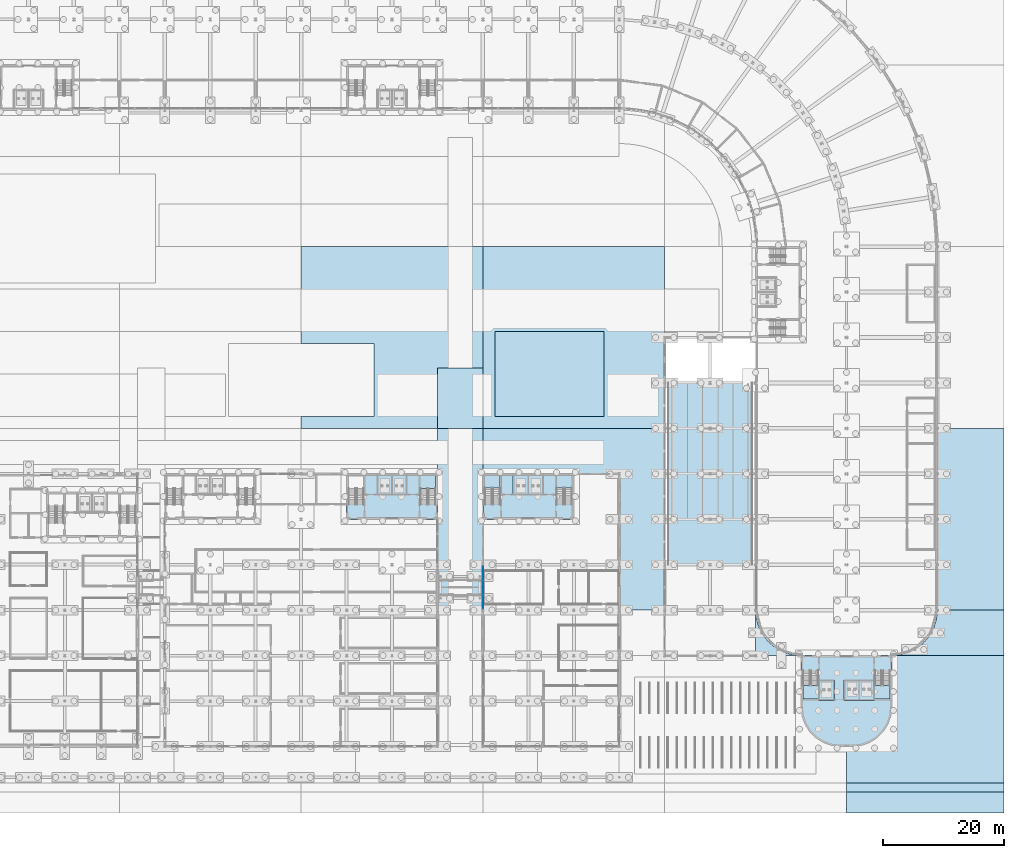
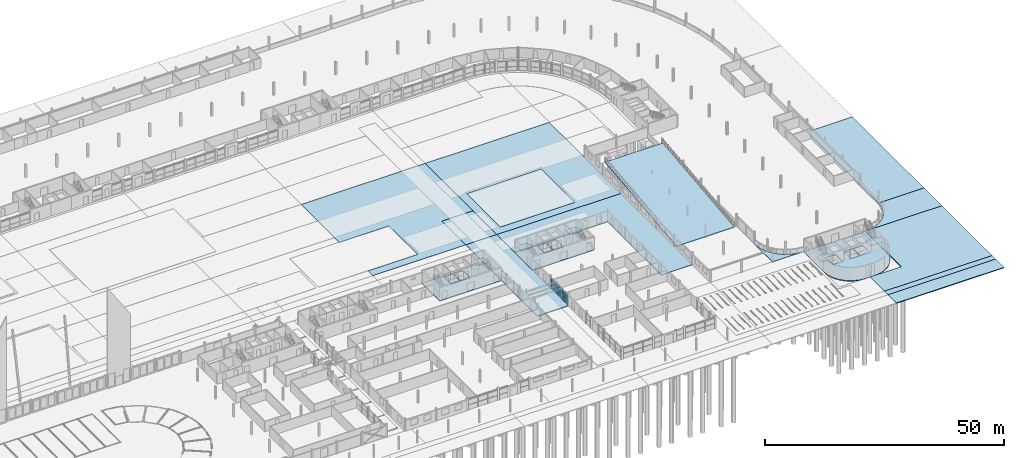
# One storey, part 72 of 130: 25 slabs, 6 plates, 6 elements without a shape of their own.
"""IFC4 building model written with IfcOpenShell, lengths in metres."""

from ifc_helpers import new_model, si_unit, direction, frame, origin, origin_2d, place, context, subcontext, project, spatial, polyline, rectangle, outline, extrude, material, layer, layer_set, type_object, element, aggregate, save


model = new_model("IFC4")

# Units and contexts
model_context = context("Model", 3, precision=1e-05, world=origin(), true_north=direction((0.0, 1.0)))
body_context = subcontext(model_context, "Body", "Model", "MODEL_VIEW")
ifc_project = project(units=[si_unit("LENGTHUNIT", "METRE"), si_unit("AREAUNIT", "SQUARE_METRE"), si_unit("VOLUMEUNIT", "CUBIC_METRE"), si_unit("PLANEANGLEUNIT", "RADIAN"), si_unit("MASSUNIT", "GRAM", prefix="KILO")], contexts=[model_context])

# Site, building, storey
site_placement = place(None, origin())
site = spatial("IfcSite", under=ifc_project, at=site_placement, CompositionType="ELEMENT")
building_placement = place(site_placement, origin())
building = spatial("IfcBuilding", under=site, at=building_placement, Name="Parallax Yard Mobility Hub", CompositionType="ELEMENT")
storey_placement = place(building_placement, origin())
storey = spatial("IfcBuildingStorey", under=building, at=storey_placement, Name="L00", CompositionType="ELEMENT", Elevation=0.0)

# Slabs
ifc_material_1 = material(Name="Concrete fc' 28 MPa", Category="concrete")
ifc_layer_1 = layer(ifc_material_1, 0.199951171875)
ifc_layer_set_1 = layer_set([ifc_layer_1], Name="Concrete fc' 28 MPa vehicle ramp slab 200")
slab_type_1 = type_object("IfcSlabType", Name="Concrete fc' 28 MPa vehicle ramp slab 200", PredefinedType="FLOOR", material=ifc_layer_set_1)
slab_1_placement = place(storey_placement, frame((187.5, 37.5, 0.0), z_axis=(0.0, 0.0, 1.0), x_axis=(0.0, 1.0, 0.0)))
element("IfcSlab", 1, at=slab_1_placement, inside=storey, type_object=slab_type_1, Name="Vehicle ramp slab RP1 L00 to L01", PredefinedType="FLOOR", context=body_context, shape_type="SweptSolid", body=[
    extrude(outline(polyline([(0.0, -0.199951171875), (30.0, 3.10009765625), (30.0, 3.300048828125), (0.0, 0.0), (0.0, -0.199951171875)])), frame((0.0, 7.0, 0.0), z_axis=(0.0, -1.0, 0.0), x_axis=(1.0, 0.0, 0.0)), (0.0, 0.0, 1.0), 14.0),
])
ifc_layer_2 = layer(ifc_material_1, 0.199951171875)
ifc_layer_set_2 = layer_set([ifc_layer_2], Name="Core ground slab 200")
slab_type_2 = type_object("IfcSlabType", Name="Core ground slab 200", PredefinedType="BASESLAB", material=ifc_layer_set_2)
slab_2_placement = place(storey_placement, frame((0.0, 0.0, -0.199951171875)))
element("IfcSlab", 2, at=slab_2_placement, inside=storey, type_object=slab_type_2, Name="Core C-S ground slab", PredefinedType="BASESLAB", context=body_context, shape_type="SweptSolid", body=[
    extrude(outline(polyline([(217.3369140625, 12.5537109375), (216.856201171875, 11.1796875), (216.081787109375, 9.947265625), (215.052734375, 8.918212890625), (213.8203125, 8.143798828125), (212.4462890625, 7.6630859375), (211.0, 7.5), (209.0, 7.5), (207.5537109375, 7.6630859375), (206.1796875, 8.143798828125), (204.947265625, 8.918212890625), (203.918212890625, 9.947265625), (203.143798828125, 11.1796875), (202.6630859375, 12.5537109375), (202.5, 14.0), (202.5, 22.5), (217.5, 22.5), (217.5, 14.0), (217.3369140625, 12.5537109375)]), holes=[polyline([(214.39990234375, 18.300048828125), (212.199951171875, 18.300048828125), (212.199951171875, 15.300048828125), (214.39990234375, 15.300048828125), (214.39990234375, 18.300048828125)]), polyline([(212.0, 15.300048828125), (212.0, 18.300048828125), (209.800048828125, 18.300048828125), (209.800048828125, 15.300048828125), (212.0, 15.300048828125)]), polyline([(205.60009765625, 15.300048828125), (207.800048828125, 15.300048828125), (207.800048828125, 18.300048828125), (205.60009765625, 18.300048828125), (205.60009765625, 15.300048828125)])]), origin(), (0.0, 0.0, 1.0), 0.199951171875),
])
slab_3_placement = place(storey_placement, frame((0.0, 0.0, -0.199951171875)))
element("IfcSlab", 3, at=slab_3_placement, inside=storey, type_object=slab_type_2, Name="Core C6-E ground slab", PredefinedType="BASESLAB", context=body_context, shape_type="SweptSolid", body=[
    extrude(outline(polyline([(127.5, 52.5), (142.5, 52.5), (142.5, 45.0), (127.5, 45.0), (127.5, 52.5)]), holes=[polyline([(132.699951171875, 52.199951171875), (132.699951171875, 49.199951171875), (134.89990234375, 49.199951171875), (134.89990234375, 52.199951171875), (132.699951171875, 52.199951171875)]), polyline([(137.300048828125, 52.199951171875), (135.10009765625, 52.199951171875), (135.10009765625, 49.199951171875), (137.300048828125, 49.199951171875), (137.300048828125, 52.199951171875)])]), origin(), (0.0, 0.0, 1.0), 0.199951171875),
])
slab_4_placement = place(storey_placement, frame((0.0, 0.0, -0.199951171875)))
element("IfcSlab", 4, at=slab_4_placement, inside=storey, type_object=slab_type_2, Name="Core C5 ground slab", PredefinedType="BASESLAB", context=body_context, shape_type="SweptSolid", body=[
    extrude(outline(polyline([(150.0, 52.5), (165.0, 52.5), (165.0, 45.0), (150.0, 45.0), (150.0, 52.5)]), holes=[polyline([(155.199951171875, 52.199951171875), (155.199951171875, 49.199951171875), (157.39990234375, 49.199951171875), (157.39990234375, 52.199951171875), (155.199951171875, 52.199951171875)]), polyline([(159.800048828125, 52.199951171875), (157.60009765625, 52.199951171875), (157.60009765625, 49.199951171875), (159.800048828125, 49.199951171875), (159.800048828125, 52.199951171875)])]), origin(), (0.0, 0.0, 1.0), 0.199951171875),
])

# Stair, slab
ifc_material_2 = material(Name="Concrete fc' 35 MPa", Category="concrete")
stair_type_1 = type_object("IfcStairType", Name="Exit stair 1200 dog-leg", PredefinedType="HALF_TURN_STAIR", material=ifc_material_2)
stair_1_placement = place(storey_placement, origin())
stair_1 = element("IfcStair", 5, at=stair_1_placement, inside=storey, type_object=stair_type_1, Name="L00 Exit stair 1 of core C-S", PredefinedType="HALF_TURN_STAIR")
ifc_layer_3 = layer(ifc_material_2, 0.199951171875)
ifc_layer_set_3 = layer_set([ifc_layer_3], Name="Exit stair landing 200")
slab_type_3 = type_object("IfcSlabType", Name="Exit stair landing 200", PredefinedType="LANDING", material=ifc_layer_set_3)
slab_5_placement = place(storey_placement, frame((0.0, 0.0, 1.449951171875)))
slab_5 = element("IfcSlab", 6, at=slab_5_placement, type_object=slab_type_3, Name="ST9 landing 1", PredefinedType="LANDING", context=body_context, shape_type="SweptSolid", body=[
    extrude(outline(polyline([(214.64990234375, 17.534912109375), (214.64990234375, 15.300048828125), (217.199951171875, 15.300048828125), (217.199951171875, 17.534912109375), (214.64990234375, 17.534912109375)])), origin(), (0.0, 0.0, 1.0), 0.199951171875),
])
aggregate(stair_1, [slab_5])

stair_2_placement = place(storey_placement, origin())
stair_2 = element("IfcStair", 7, at=stair_2_placement, inside=storey, type_object=stair_type_1, Name="L00 Exit stair 2 of core C-S", PredefinedType="HALF_TURN_STAIR")
slab_6_placement = place(storey_placement, frame((0.0, 0.0, 1.449951171875)))
slab_6 = element("IfcSlab", 8, at=slab_6_placement, type_object=slab_type_3, Name="ST10 landing 1", PredefinedType="LANDING", context=body_context, shape_type="SweptSolid", body=[
    extrude(outline(polyline([(202.800048828125, 17.534912109375), (202.800048828125, 15.300048828125), (205.35009765625, 15.300048828125), (205.35009765625, 17.534912109375), (202.800048828125, 17.534912109375)])), origin(), (0.0, 0.0, 1.0), 0.199951171875),
])
aggregate(stair_2, [slab_6])

stair_type_2 = type_object("IfcStairType", Name="Sports deck stair 1200 dog-leg", PredefinedType="HALF_TURN_STAIR", material=ifc_material_2)
stair_3_placement = place(storey_placement, origin())
stair_3 = element("IfcStair", 9, at=stair_3_placement, inside=storey, type_object=stair_type_2, Name="L00 Exit stair 2 of core C6-E", PredefinedType="HALF_TURN_STAIR")
slab_7_placement = place(storey_placement, frame((0.0, 0.0, 1.449951171875)))
slab_7 = element("IfcSlab", 10, at=slab_7_placement, type_object=slab_type_3, Name="ST14 landing 1", PredefinedType="LANDING", context=body_context, shape_type="SweptSolid", body=[
    extrude(outline(polyline([(142.199951171875, 50.10009765625), (142.199951171875, 52.199951171875), (139.64990234375, 52.199951171875), (139.64990234375, 50.10009765625), (142.199951171875, 50.10009765625)])), origin(), (0.0, 0.0, 1.0), 0.199951171875),
])
aggregate(stair_3, [slab_7])

stair_type_3 = type_object("IfcStairType", Name="Public hall stair 1200 dog-leg", PredefinedType="HALF_TURN_STAIR", material=ifc_material_2)
stair_4_placement = place(storey_placement, origin())
stair_4 = element("IfcStair", 11, at=stair_4_placement, inside=storey, type_object=stair_type_3, Name="L00 Exit stair 1 of core C5", PredefinedType="HALF_TURN_STAIR")
slab_8_placement = place(storey_placement, frame((0.0, 0.0, 1.449951171875)))
slab_8 = element("IfcSlab", 12, at=slab_8_placement, type_object=slab_type_3, Name="ST15 landing 1", PredefinedType="LANDING", context=body_context, shape_type="SweptSolid", body=[
    extrude(outline(polyline([(152.85009765625, 50.18994140625), (152.85009765625, 52.199951171875), (150.300048828125, 52.199951171875), (150.300048828125, 50.18994140625), (152.85009765625, 50.18994140625)])), origin(), (0.0, 0.0, 1.0), 0.199951171875),
])
aggregate(stair_4, [slab_8])

stair_5_placement = place(storey_placement, origin())
stair_5 = element("IfcStair", 13, at=stair_5_placement, inside=storey, type_object=stair_type_3, Name="L00 Exit stair 2 of core C5", PredefinedType="HALF_TURN_STAIR")
slab_9_placement = place(storey_placement, frame((0.0, 0.0, 1.449951171875)))
slab_9 = element("IfcSlab", 14, at=slab_9_placement, type_object=slab_type_3, Name="ST16 landing 1", PredefinedType="LANDING", context=body_context, shape_type="SweptSolid", body=[
    extrude(outline(polyline([(164.699951171875, 50.18994140625), (164.699951171875, 52.199951171875), (162.14990234375, 52.199951171875), (162.14990234375, 50.18994140625), (164.699951171875, 50.18994140625)])), origin(), (0.0, 0.0, 1.0), 0.199951171875),
])
aggregate(stair_5, [slab_9])

# Slab
ifc_layer_4 = layer(ifc_material_1, 0.179931640625)
ifc_layer_set_4 = layer_set([ifc_layer_4], Name="Forecourt apron paving 180")
slab_type_4 = type_object("IfcSlabType", Name="Forecourt apron paving 180", PredefinedType="FLOOR", material=ifc_layer_set_4)
slab_10_placement = place(storey_placement, frame((0.0, 0.0, -0.179931640625)))
element("IfcSlab", 15, at=slab_10_placement, inside=storey, type_object=slab_type_4, Name="Forecourt apron paving panel 3", PredefinedType="FLOOR", context=body_context, shape_type="SweptSolid", body=[
    extrude(outline(polyline([(217.5, 7.5), (217.5, 22.4990234375), (217.5, 22.4990234375), (217.51025390625, 22.5), (236.0, 22.5), (236.0, 1.5), (210.0, 1.5), (210.0, 7.5), (217.5, 7.5)])), origin(), (0.0, 0.0, 1.0), 0.179931640625),
])

# Curtain wall, plates
ifc_material_3 = material(Name="Thermally broken aluminium curtain wall system", Category="aluminium")
curtain_wall_type = type_object("IfcCurtainWallType", Name="Curtain wall run 60 x 160 frame", PredefinedType="NOTDEFINED", material=ifc_material_3)
curtain_wall_placement = place(storey_placement, origin())
curtain_wall = element("IfcCurtainWall", 16, at=curtain_wall_placement, inside=storey, type_object=curtain_wall_type, Name="Curtain wall run Bicycle and shared-mobility hall west bay 4 level L00", PredefinedType="NOTDEFINED")
ifc_material_4 = material(Name="Laminated low-E double glazing", Category="glass")
ifc_layer_5 = layer(ifc_material_4, 0.028076171875)
ifc_layer_set_5 = layer_set([ifc_layer_5], Name="Glazing panel 28")
plate_type = type_object("IfcPlateType", Name="Glazing panel 28", PredefinedType="CURTAIN_PANEL", material=ifc_layer_set_5)
plate_1_placement = place(storey_placement, frame((150.0, 31.366455078125, 0.06005859375), z_axis=(0.0, 0.0, 1.0), x_axis=(0.0, 1.0, 0.0)))
plate_1 = element("IfcPlate", 17, at=plate_1_placement, type_object=plate_type, Name="CW1 panel 1.1", PredefinedType="CURTAIN_PANEL", context=body_context, shape_type="SweptSolid", body=[
    extrude(rectangle(XDim=2.305908203125, YDim=0.028076171875, at=origin_2d()), origin(), (0.0, 0.0, 1.0), 1.285400390625),
])
plate_2_placement = place(storey_placement, frame((150.0, 31.366455078125, 1.40576171875), z_axis=(0.0, 0.0, 1.0), x_axis=(0.0, 1.0, 0.0)))
plate_2 = element("IfcPlate", 18, at=plate_2_placement, type_object=plate_type, Name="CW1 panel 1.2", PredefinedType="CURTAIN_PANEL", context=body_context, shape_type="SweptSolid", body=[
    extrude(rectangle(XDim=2.305908203125, YDim=0.028076171875, at=origin_2d()), origin(), (0.0, 0.0, 1.0), 1.285400390625),
])
plate_3_placement = place(storey_placement, frame((150.0, 33.747314453125, 0.06005859375), z_axis=(0.0, 0.0, 1.0), x_axis=(0.0, 1.0, 0.0)))
plate_3 = element("IfcPlate", 19, at=plate_3_placement, type_object=plate_type, Name="CW1 panel 2.1", PredefinedType="CURTAIN_PANEL", context=body_context, shape_type="SweptSolid", body=[
    extrude(rectangle(XDim=2.3359375, YDim=0.028076171875, at=origin_2d()), origin(), (0.0, 0.0, 1.0), 1.285400390625),
])
plate_4_placement = place(storey_placement, frame((150.0, 33.747314453125, 1.40576171875), z_axis=(0.0, 0.0, 1.0), x_axis=(0.0, 1.0, 0.0)))
plate_4 = element("IfcPlate", 20, at=plate_4_placement, type_object=plate_type, Name="CW1 panel 2.2", PredefinedType="CURTAIN_PANEL", context=body_context, shape_type="SweptSolid", body=[
    extrude(rectangle(XDim=2.3359375, YDim=0.028076171875, at=origin_2d()), origin(), (0.0, 0.0, 1.0), 1.285400390625),
])
plate_5_placement = place(storey_placement, frame((150.0, 36.128173828125, 0.06005859375), z_axis=(0.0, 0.0, 1.0), x_axis=(0.0, 1.0, 0.0)))
plate_5 = element("IfcPlate", 21, at=plate_5_placement, type_object=plate_type, Name="CW1 panel 3.1", PredefinedType="CURTAIN_PANEL", context=body_context, shape_type="SweptSolid", body=[
    extrude(rectangle(XDim=2.305908203125, YDim=0.028076171875, at=origin_2d()), origin(), (0.0, 0.0, 1.0), 1.285400390625),
])
plate_6_placement = place(storey_placement, frame((150.0, 36.128173828125, 1.40576171875), z_axis=(0.0, 0.0, 1.0), x_axis=(0.0, 1.0, 0.0)))
plate_6 = element("IfcPlate", 22, at=plate_6_placement, type_object=plate_type, Name="CW1 panel 3.2", PredefinedType="CURTAIN_PANEL", context=body_context, shape_type="SweptSolid", body=[
    extrude(rectangle(XDim=2.305908203125, YDim=0.028076171875, at=origin_2d()), origin(), (0.0, 0.0, 1.0), 1.285400390625),
])
aggregate(curtain_wall, [plate_1, plate_2, plate_3, plate_4, plate_5, plate_6])

# Slabs
ifc_layer_6 = layer(ifc_material_1, 0.300048828125)
ifc_layer_set_6 = layer_set([ifc_layer_6], Name="Lift pit slab 300")
slab_type_5 = type_object("IfcSlabType", Name="Lift pit slab 300", PredefinedType="BASESLAB", material=ifc_layer_set_6)
slab_11_placement = place(storey_placement, frame((0.0, 0.0, -1.800048828125)))
element("IfcSlab", 23, at=slab_11_placement, inside=storey, type_object=slab_type_5, Name="Core C-S lift pit slab (shaft group 1)", PredefinedType="BASESLAB", context=body_context, shape_type="SweptSolid", body=[
    extrude(outline(polyline([(214.60009765625, 18.5), (209.60009765625, 18.5), (209.60009765625, 15.10009765625), (214.60009765625, 15.10009765625), (214.60009765625, 18.5)])), origin(), (0.0, 0.0, 1.0), 0.300048828125),
])
slab_12_placement = place(storey_placement, frame((0.0, 0.0, -1.800048828125)))
element("IfcSlab", 24, at=slab_12_placement, inside=storey, type_object=slab_type_5, Name="Core C-S lift pit slab (shaft group 2)", PredefinedType="BASESLAB", context=body_context, shape_type="SweptSolid", body=[
    extrude(outline(polyline([(208.0, 18.5), (205.39990234375, 18.5), (205.39990234375, 15.10009765625), (208.0, 15.10009765625), (208.0, 18.5)])), origin(), (0.0, 0.0, 1.0), 0.300048828125),
])
slab_13_placement = place(storey_placement, frame((0.0, 0.0, -1.800048828125)))
element("IfcSlab", 25, at=slab_13_placement, inside=storey, type_object=slab_type_5, Name="Core C6-E lift pit slab (shaft group 1)", PredefinedType="BASESLAB", context=body_context, shape_type="SweptSolid", body=[
    extrude(outline(polyline([(132.5, 49.0), (137.5, 49.0), (137.5, 52.5), (132.5, 52.5), (132.5, 49.0)])), origin(), (0.0, 0.0, 1.0), 0.300048828125),
])
slab_14_placement = place(storey_placement, frame((0.0, 0.0, -1.800048828125)))
element("IfcSlab", 26, at=slab_14_placement, inside=storey, type_object=slab_type_5, Name="Core C5 lift pit slab (shaft group 1)", PredefinedType="BASESLAB", context=body_context, shape_type="SweptSolid", body=[
    extrude(outline(polyline([(155.0, 49.0), (160.0, 49.0), (160.0, 52.5), (155.0, 52.5), (155.0, 49.0)])), origin(), (0.0, 0.0, 1.0), 0.300048828125),
])
ifc_material_5 = material(Name="Planting soil on drainage layer")
ifc_layer_7 = layer(ifc_material_5, 0.449951171875)
ifc_layer_set_7 = layer_set([ifc_layer_7], Name="Planting bed 450 soil on drainage layer")
slab_type_6 = type_object("IfcSlabType", Name="Planting bed 450 soil on drainage layer", PredefinedType="FLOOR", material=ifc_layer_set_7)
slab_15_placement = place(storey_placement, frame((0.0, 0.0, -0.449951171875)))
element("IfcSlab", 27, at=slab_15_placement, inside=storey, type_object=slab_type_6, Name="Planting bed 04", PredefinedType="FLOOR", context=body_context, shape_type="SweptSolid", body=[
    extrude(outline(polyline([(152.0, 62.0), (170.0, 62.0), (170.0, 76.0), (152.0, 76.0), (152.0, 62.0)])), origin(), (0.0, 0.0, 1.0), 0.449951171875),
])
ifc_layer_8 = layer(ifc_material_1, 0.14990234375)
ifc_layer_set_8 = layer_set([ifc_layer_8], Name="Public yard paving 150")
slab_type_7 = type_object("IfcSlabType", Name="Public yard paving 150", PredefinedType="FLOOR", material=ifc_layer_set_8)
slab_16_placement = place(storey_placement, frame((0.0, 0.0, -0.14990234375)))
element("IfcSlab", 28, at=slab_16_placement, inside=storey, type_object=slab_type_7, Name="Public yard paving panel 19", PredefinedType="FLOOR", context=body_context, shape_type="SweptSolid", body=[
    extrude(outline(polyline([(142.5, 70.0), (142.5, 60.0), (120.0, 60.0), (120.0, 62.0), (132.0, 62.0), (132.0, 74.0), (120.0, 74.0), (120.0, 90.0), (150.0, 90.0), (150.0, 70.0), (142.5, 70.0)])), origin(), (0.0, 0.0, 1.0), 0.14990234375),
])
slab_17_placement = place(storey_placement, frame((0.0, 0.0, -0.14990234375)))
element("IfcSlab", 29, at=slab_17_placement, inside=storey, type_object=slab_type_7, Name="Public yard paving panel 23", PredefinedType="FLOOR", context=body_context, shape_type="SweptSolid", body=[
    extrude(outline(polyline([(180.0, 37.5009765625), (180.0, 37.5009765625), (179.999755859375, 37.5009765625), (179.999755859375, 37.5009765625), (179.99951171875, 37.5009765625), (179.99951171875, 37.5009765625), (179.99951171875, 37.500732421875), (179.99951171875, 37.500732421875), (179.999267578125, 37.500732421875), (179.999267578125, 37.50048828125), (179.999267578125, 37.50048828125), (179.9990234375, 37.50048828125), (179.9990234375, 37.50048828125), (179.9990234375, 37.500244140625), (179.9990234375, 37.500244140625), (179.9990234375, 37.5), (179.9990234375, 37.5), (179.9990234375, 30.0), (172.5009765625, 30.0), (172.5009765625, 30.925048828125), (172.5009765625, 30.925048828125), (172.5009765625, 30.92529296875), (172.5009765625, 30.92529296875), (172.5009765625, 30.92529296875), (172.5009765625, 30.925537109375), (172.500732421875, 30.925537109375), (172.500732421875, 30.925537109375), (172.500732421875, 30.92578125), (172.50048828125, 30.92578125), (172.50048828125, 30.92578125), (172.50048828125, 30.92578125), (172.50048828125, 30.92578125), (172.500244140625, 30.926025390625), (172.500244140625, 30.926025390625), (172.5, 30.926025390625), (172.5, 30.926025390625), (172.5, 31.073974609375), (172.5, 31.073974609375), (172.500244140625, 31.073974609375), (172.500244140625, 31.073974609375), (172.50048828125, 31.07421875), (172.50048828125, 31.07421875), (172.50048828125, 31.07421875), (172.50048828125, 31.07421875), (172.500732421875, 31.07421875), (172.500732421875, 31.074462890625), (172.500732421875, 31.074462890625), (172.5009765625, 31.074462890625), (172.5009765625, 31.07470703125), (172.5009765625, 31.07470703125), (172.5009765625, 31.07470703125), (172.5009765625, 31.074951171875), (172.5009765625, 31.074951171875), (172.5009765625, 36.425048828125), (172.5009765625, 36.425048828125), (172.5009765625, 36.42529296875), (172.5009765625, 36.42529296875), (172.5009765625, 36.42529296875), (172.5009765625, 36.425537109375), (172.500732421875, 36.425537109375), (172.500732421875, 36.425537109375), (172.500732421875, 36.42578125), (172.50048828125, 36.42578125), (172.50048828125, 36.42578125), (172.50048828125, 36.42578125), (172.50048828125, 36.42578125), (172.500244140625, 36.426025390625), (172.500244140625, 36.426025390625), (172.5, 36.426025390625), (172.5, 36.426025390625), (172.5, 36.573974609375), (172.5, 36.573974609375), (172.500244140625, 36.573974609375), (172.500244140625, 36.573974609375), (172.50048828125, 36.57421875), (172.50048828125, 36.57421875), (172.50048828125, 36.57421875), (172.50048828125, 36.57421875), (172.500732421875, 36.57421875), (172.500732421875, 36.574462890625), (172.500732421875, 36.574462890625), (172.5009765625, 36.574462890625), (172.5009765625, 36.57470703125), (172.5009765625, 36.57470703125), (172.5009765625, 36.57470703125), (172.5009765625, 36.574951171875), (172.5009765625, 36.574951171875), (172.5009765625, 52.5), (172.5009765625, 52.5), (172.5009765625, 52.500244140625), (172.5009765625, 52.500244140625), (172.5009765625, 52.50048828125), (172.5009765625, 52.50048828125), (172.500732421875, 52.50048828125), (172.500732421875, 52.50048828125), (172.500732421875, 52.500732421875), (172.50048828125, 52.500732421875), (172.50048828125, 52.500732421875), (172.50048828125, 52.5009765625), (172.50048828125, 52.5009765625), (172.500244140625, 52.5009765625), (172.500244140625, 52.5009765625), (172.5, 52.5009765625), (172.5, 52.5009765625), (165.0, 52.5009765625), (165.0, 52.5009765625), (164.999755859375, 52.5009765625), (164.999755859375, 52.5009765625), (164.99951171875, 52.5009765625), (164.99951171875, 52.5009765625), (164.99951171875, 52.500732421875), (164.99951171875, 52.500732421875), (164.999267578125, 52.500732421875), (164.999267578125, 52.50048828125), (164.999267578125, 52.50048828125), (164.9990234375, 52.50048828125), (164.9990234375, 52.50048828125), (164.9990234375, 52.500244140625), (164.9990234375, 52.500244140625), (164.9990234375, 52.5), (164.9990234375, 52.5), (150.0, 52.5), (150.0, 60.0), (180.0, 60.0), (180.0, 37.5009765625)])), origin(), (0.0, 0.0, 1.0), 0.14990234375),
])
slab_18_placement = place(storey_placement, frame((0.0, 0.0, -0.14990234375)))
element("IfcSlab", 30, at=slab_18_placement, inside=storey, type_object=slab_type_7, Name="Public yard paving panel 24", PredefinedType="FLOOR", context=body_context, shape_type="SweptSolid", body=[
    extrude(outline(polyline([(180.0, 60.0), (150.0, 60.0), (150.0, 70.0), (150.0, 90.0), (180.0, 90.0), (180.0, 75.0), (180.0, 60.0)]), holes=[polyline([(170.0, 76.0), (152.0, 76.0), (152.0, 62.0), (170.0, 62.0), (170.0, 76.0)])]), origin(), (0.0, 0.0, 1.0), 0.14990234375),
])
slab_19_placement = place(storey_placement, frame((0.0, 0.0, -0.14990234375)))
element("IfcSlab", 31, at=slab_19_placement, inside=storey, type_object=slab_type_7, Name="Public yard paving panel 27", PredefinedType="FLOOR", context=body_context, shape_type="SweptSolid", body=[
    extrude(outline(polyline([(195.14306640625, 28.53662109375), (195.14306640625, 28.53662109375), (195.14306640625, 28.53662109375), (195.56982421875, 27.129638671875), (195.570068359375, 27.12939453125), (195.570068359375, 27.12939453125), (196.26318359375, 25.832763671875), (196.26318359375, 25.83251953125), (196.26318359375, 25.83251953125), (197.19580078125, 24.696044921875), (197.196044921875, 24.696044921875), (197.196044921875, 24.69580078125), (198.33251953125, 23.76318359375), (198.33251953125, 23.76318359375), (198.332763671875, 23.76318359375), (199.62939453125, 23.070068359375), (199.62939453125, 23.070068359375), (199.629638671875, 23.06982421875), (201.03662109375, 22.64306640625), (201.03662109375, 22.64306640625), (201.03662109375, 22.64306640625), (202.48974609375, 22.5), (195.0, 22.5), (195.0, 29.98974609375), (195.14306640625, 28.53662109375)])), origin(), (0.0, 0.0, 1.0), 0.14990234375),
])
slab_20_placement = place(storey_placement, frame((0.0, 0.0, -0.14990234375)))
element("IfcSlab", 32, at=slab_20_placement, inside=storey, type_object=slab_type_7, Name="Public yard paving panel 31", PredefinedType="FLOOR", context=body_context, shape_type="SweptSolid", body=[
    extrude(outline(polyline([(236.0, 22.5), (217.51025390625, 22.5), (218.96337890625, 22.64306640625), (218.96337890625, 22.64306640625), (218.96337890625, 22.64306640625), (220.370361328125, 23.06982421875), (220.37060546875, 23.070068359375), (220.37060546875, 23.070068359375), (221.667236328125, 23.76318359375), (221.66748046875, 23.76318359375), (221.66748046875, 23.76318359375), (222.803955078125, 24.69580078125), (222.803955078125, 24.696044921875), (222.80419921875, 24.696044921875), (223.73681640625, 25.83251953125), (223.73681640625, 25.83251953125), (223.73681640625, 25.832763671875), (224.429931640625, 27.12939453125), (224.429931640625, 27.12939453125), (224.43017578125, 27.129638671875), (224.85693359375, 28.53662109375), (224.85693359375, 28.53662109375), (224.85693359375, 28.53662109375), (225.0009765625, 30.0), (225.0009765625, 30.0), (236.0, 30.0), (236.0, 22.5)])), origin(), (0.0, 0.0, 1.0), 0.14990234375),
])
slab_21_placement = place(storey_placement, frame((0.0, 0.0, -0.14990234375)))
element("IfcSlab", 33, at=slab_21_placement, inside=storey, type_object=slab_type_7, Name="Public yard paving panel 32", PredefinedType="FLOOR", context=body_context, shape_type="SweptSolid", body=[
    extrude(outline(polyline([(236.0, 30.0), (225.0009765625, 30.0), (225.0009765625, 60.0), (236.0, 60.0), (236.0, 30.0)])), origin(), (0.0, 0.0, 1.0), 0.14990234375),
])
ifc_layer_9 = layer(ifc_material_1, 0.219970703125)
ifc_layer_set_9 = layer_set([ifc_layer_9], Name="Service lane paving 220")
slab_type_8 = type_object("IfcSlabType", Name="Service lane paving 220", PredefinedType="FLOOR", material=ifc_layer_set_9)
slab_22_placement = place(storey_placement, frame((0.0, 0.0, -0.219970703125)))
element("IfcSlab", 34, at=slab_22_placement, inside=storey, type_object=slab_type_8, Name="Service lane paving panel 2", PredefinedType="FLOOR", context=body_context, shape_type="SweptSolid", body=[
    extrude(outline(polyline([(149.999755859375, 45.0009765625), (149.999755859375, 45.0009765625), (149.99951171875, 45.0009765625), (149.99951171875, 45.0009765625), (149.99951171875, 45.000732421875), (149.99951171875, 45.000732421875), (149.999267578125, 45.000732421875), (149.999267578125, 45.00048828125), (149.999267578125, 45.00048828125), (149.9990234375, 45.00048828125), (149.9990234375, 45.00048828125), (149.9990234375, 45.000244140625), (149.9990234375, 45.000244140625), (149.9990234375, 45.0), (149.9990234375, 45.0), (149.9990234375, 36.574951171875), (149.9990234375, 36.574951171875), (149.9990234375, 36.57470703125), (149.9990234375, 36.57470703125), (149.9990234375, 36.57470703125), (149.9990234375, 36.574462890625), (149.999267578125, 36.574462890625), (149.999267578125, 36.574462890625), (149.999267578125, 36.57421875), (149.99951171875, 36.57421875), (149.99951171875, 36.57421875), (149.99951171875, 36.57421875), (149.99951171875, 36.57421875), (149.999755859375, 36.573974609375), (149.999755859375, 36.573974609375), (150.0, 36.573974609375), (150.0, 36.573974609375), (150.0, 36.426025390625), (150.0, 36.426025390625), (149.999755859375, 36.426025390625), (149.999755859375, 36.426025390625), (149.99951171875, 36.42578125), (149.99951171875, 36.42578125), (149.99951171875, 36.42578125), (149.99951171875, 36.42578125), (149.999267578125, 36.42578125), (149.999267578125, 36.425537109375), (149.999267578125, 36.425537109375), (149.9990234375, 36.425537109375), (149.9990234375, 36.42529296875), (149.9990234375, 36.42529296875), (149.9990234375, 36.42529296875), (149.9990234375, 36.425048828125), (149.9990234375, 36.425048828125), (149.9990234375, 31.074951171875), (149.9990234375, 31.074951171875), (149.9990234375, 31.07470703125), (149.9990234375, 31.07470703125), (149.9990234375, 31.07470703125), (149.9990234375, 31.074462890625), (149.999267578125, 31.074462890625), (149.999267578125, 31.074462890625), (149.999267578125, 31.07421875), (149.99951171875, 31.07421875), (149.99951171875, 31.07421875), (149.99951171875, 31.07421875), (149.99951171875, 31.07421875), (149.999755859375, 31.073974609375), (149.999755859375, 31.073974609375), (150.0, 31.073974609375), (150.0, 31.073974609375), (150.0, 30.926025390625), (150.0, 30.926025390625), (149.999755859375, 30.926025390625), (149.999755859375, 30.926025390625), (149.99951171875, 30.92578125), (149.99951171875, 30.92578125), (149.99951171875, 30.92578125), (149.99951171875, 30.92578125), (149.999267578125, 30.92578125), (149.999267578125, 30.925537109375), (149.999267578125, 30.925537109375), (149.9990234375, 30.925537109375), (149.9990234375, 30.92529296875), (149.9990234375, 30.92529296875), (149.9990234375, 30.92529296875), (149.9990234375, 30.925048828125), (149.9990234375, 30.925048828125), (149.9990234375, 30.0), (142.5009765625, 30.0), (142.5009765625, 32.89990234375), (142.5009765625, 32.900146484375), (142.5009765625, 32.900146484375), (142.5009765625, 32.900390625), (142.5009765625, 32.900390625), (142.5009765625, 32.900390625), (142.500732421875, 32.900634765625), (142.500732421875, 32.900634765625), (142.500732421875, 32.900634765625), (142.50048828125, 32.90087890625), (142.50048828125, 32.90087890625), (142.50048828125, 32.90087890625), (142.50048828125, 32.90087890625), (142.500244140625, 32.90087890625), (142.500244140625, 32.90087890625), (142.5, 32.90087890625), (142.5, 32.90087890625), (142.5, 33.09912109375), (142.5, 33.09912109375), (142.500244140625, 33.09912109375), (142.500244140625, 33.09912109375), (142.50048828125, 33.09912109375), (142.50048828125, 33.09912109375), (142.50048828125, 33.09912109375), (142.50048828125, 33.09912109375), (142.500732421875, 33.099365234375), (142.500732421875, 33.099365234375), (142.500732421875, 33.099365234375), (142.5009765625, 33.099609375), (142.5009765625, 33.099609375), (142.5009765625, 33.099609375), (142.5009765625, 33.099853515625), (142.5009765625, 33.099853515625), (142.5009765625, 33.10009765625), (142.5009765625, 39.89990234375), (142.5009765625, 39.900146484375), (142.5009765625, 39.900146484375), (142.5009765625, 39.900390625), (142.5009765625, 39.900390625), (142.5009765625, 39.900390625), (142.500732421875, 39.900634765625), (142.500732421875, 39.900634765625), (142.500732421875, 39.900634765625), (142.50048828125, 39.90087890625), (142.50048828125, 39.90087890625), (142.50048828125, 39.90087890625), (142.50048828125, 39.90087890625), (142.500244140625, 39.90087890625), (142.500244140625, 39.90087890625), (142.5, 39.90087890625), (142.5, 39.90087890625), (142.5, 40.09912109375), (142.5, 40.09912109375), (142.500244140625, 40.09912109375), (142.500244140625, 40.09912109375), (142.50048828125, 40.09912109375), (142.50048828125, 40.09912109375), (142.50048828125, 40.09912109375), (142.50048828125, 40.09912109375), (142.500732421875, 40.099365234375), (142.500732421875, 40.099365234375), (142.500732421875, 40.099365234375), (142.5009765625, 40.099609375), (142.5009765625, 40.099609375), (142.5009765625, 40.099609375), (142.5009765625, 40.099853515625), (142.5009765625, 40.099853515625), (142.5009765625, 40.10009765625), (142.5009765625, 45.0), (142.5009765625, 45.0), (142.5009765625, 45.000244140625), (142.5009765625, 45.000244140625), (142.5009765625, 45.00048828125), (142.5009765625, 45.00048828125), (142.500732421875, 45.00048828125), (142.500732421875, 45.00048828125), (142.500732421875, 45.000732421875), (142.50048828125, 45.000732421875), (142.50048828125, 45.000732421875), (142.50048828125, 45.0009765625), (142.50048828125, 45.0009765625), (142.500244140625, 45.0009765625), (142.500244140625, 45.0009765625), (142.5, 45.0009765625), (142.5, 45.0009765625), (142.5, 52.5), (142.5, 60.0), (150.0, 60.0), (150.0, 52.5), (150.0, 45.0009765625), (150.0, 45.0009765625), (149.999755859375, 45.0009765625)])), origin(), (0.0, 0.0, 1.0), 0.219970703125),
])
slab_23_placement = place(storey_placement, frame((0.0, 0.0, -0.219970703125)))
element("IfcSlab", 35, at=slab_23_placement, inside=storey, type_object=slab_type_8, Name="Service lane paving panel 3", PredefinedType="FLOOR", context=body_context, shape_type="SweptSolid", body=[
    extrude(outline(polyline([(142.5, 70.0), (150.0, 70.0), (150.0, 60.0), (142.5, 60.0), (142.5, 70.0)])), origin(), (0.0, 0.0, 1.0), 0.219970703125),
])
ifc_layer_10 = layer(ifc_material_1, 0.199951171875)
ifc_layer_set_10 = layer_set([ifc_layer_10], Name="Street apron paving 200")
slab_type_9 = type_object("IfcSlabType", Name="Street apron paving 200", PredefinedType="FLOOR", material=ifc_layer_set_10)
slab_24_placement = place(storey_placement, frame((0.0, 0.0, -0.199951171875)))
element("IfcSlab", 36, at=slab_24_placement, inside=storey, type_object=slab_type_9, Name="Street apron paving panel 15", PredefinedType="FLOOR", context=body_context, shape_type="SweptSolid", body=[
    extrude(outline(polyline([(236.0, -3.5), (210.0, -3.5), (210.0, 0.0), (236.0, 0.0), (236.0, -3.5)])), origin(), (0.0, 0.0, 1.0), 0.199951171875),
])
slab_25_placement = place(storey_placement, frame((0.0, 0.0, -0.199951171875)))
element("IfcSlab", 37, at=slab_25_placement, inside=storey, type_object=slab_type_9, Name="Street apron paving panel 16", PredefinedType="FLOOR", context=body_context, shape_type="SweptSolid", body=[
    extrude(outline(polyline([(236.0, 1.5), (236.0, 0.0), (210.0, 0.0), (210.0, 1.5), (236.0, 1.5)])), origin(), (0.0, 0.0, 1.0), 0.199951171875),
])

save(model, "model.ifc")
